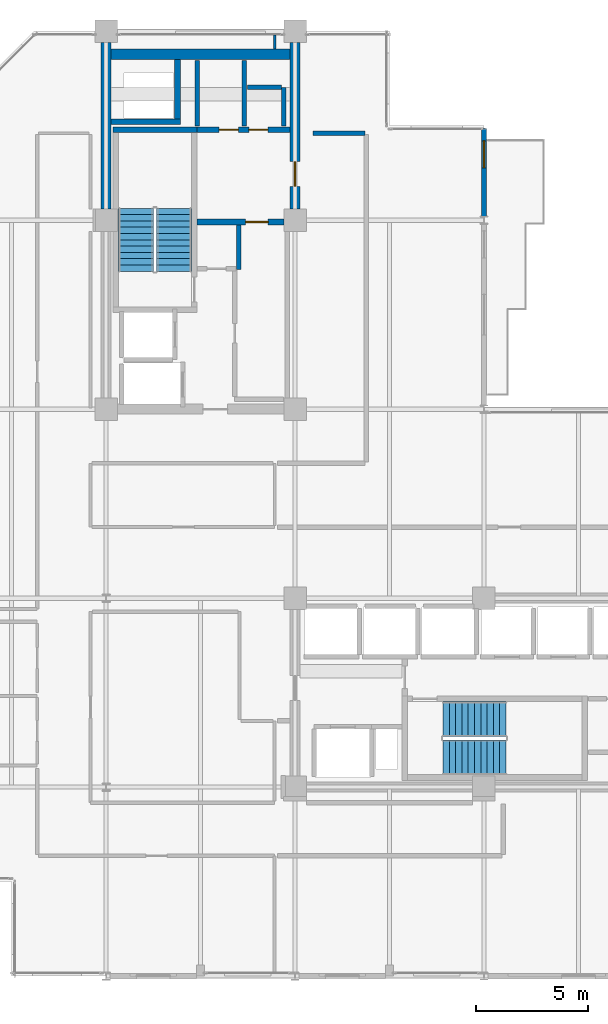
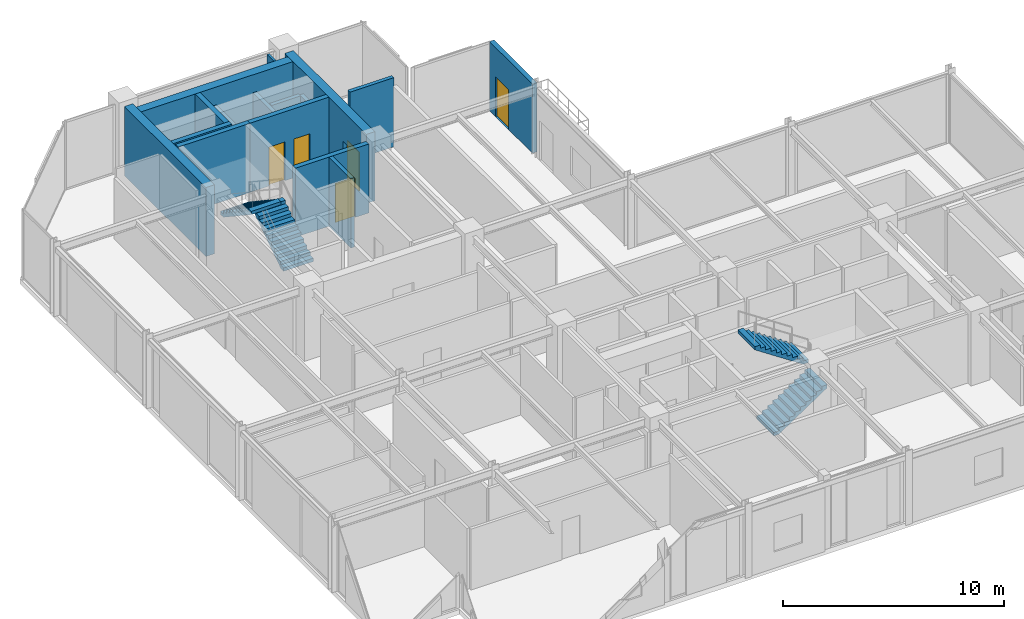
# One storey, part 22 of 25: 16 walls, 5 doors, 4 stair flights, 5 openings, 2 elements without a shape of their own.
"""IFC4 building model written with IfcOpenShell, lengths in metres."""

from ifc_helpers import new_model, si_unit, direction, frame, frame_2d, origin, place, context, subcontext, project, spatial, polyline, rectangle, outline, extrude, material, layer, layer_set, type_object, element, fill, aggregate, save


model = new_model("IFC4")

# Units and contexts
model_context = context("Model", 3, precision=1e-05, world=origin(), true_north=direction((0.0, 1.0)))
body_context = subcontext(model_context, "Body", "Model", "MODEL_VIEW")
ifc_project = project(units=[si_unit("LENGTHUNIT", "METRE"), si_unit("AREAUNIT", "SQUARE_METRE"), si_unit("VOLUMEUNIT", "CUBIC_METRE"), si_unit("PLANEANGLEUNIT", "RADIAN"), si_unit("MASSUNIT", "GRAM", prefix="KILO")], contexts=[model_context])

# Site, building, storey
site_placement = place(None, origin())
site = spatial("IfcSite", under=ifc_project, at=site_placement, CompositionType="ELEMENT")
building_placement = place(site_placement, origin())
building = spatial("IfcBuilding", under=site, at=building_placement, Name="Nerrivon Quay Data Exchange", CompositionType="ELEMENT")
storey_placement = place(building_placement, frame((0.0, 0.0, 224.699951171875)))
storey = spatial("IfcBuildingStorey", under=building, at=storey_placement, Name="L53", CompositionType="ELEMENT", Elevation=224.699951171875)

# Wall, opening, door
ifc_material_1 = material(Name="Architectural terracotta precast concrete N50 (50 MPa)", Category="masonry")
ifc_layer_1 = layer(ifc_material_1, 0.239990234375)
ifc_layer_set_1 = layer_set([ifc_layer_1], Name="Architectural terracotta precast concrete N50 (50 MPa)")
wall_type_1 = type_object("IfcWallType", Name="EW-PREC-240", PredefinedType="STANDARD", material=ifc_layer_set_1)
wall_1_placement = place(storey_placement, frame((25.199951171875, 37.679931640625, 0.0), z_axis=(0.0, 0.0, 1.0), x_axis=(0.0, -1.0, 0.0)))
wall_1 = element("IfcWall", 1, at=wall_1_placement, inside=storey, type_object=wall_type_1, Name="L53 Terrace Host Wall 22", PredefinedType="STANDARD", context=body_context, shape_type="SweptSolid", body=[
    extrude(rectangle(XDim=3.905029296875, YDim=0.239990234375, at=frame_2d((1.95263671875, 0.0))), origin(), (0.0, 0.0, 1.0), 3.824951171875),
])
opening_1_placement = place(wall_1_placement, frame((0.550048828125, 0.0, 0.0)))
opening_1 = element("IfcOpeningElement", 2, at=opening_1_placement, cuts=wall_1, Name="Opening TD1", PredefinedType="OPENING", context=body_context, shape_type="SweptSolid", body=[
    extrude(rectangle(XDim=1.199951171875, YDim=2.199951171875, at=frame_2d((0.60009765625, 1.10009765625))), frame((0.0, 0.1298828125, 0.0), z_axis=(0.0, -1.0, 0.0), x_axis=(1.0, 0.0, 0.0)), (0.0, 0.0, 1.0), 0.260009765625),
])
ifc_material_2 = material(Name="Double-glazed low-E solar control glass", Category="glass")
door_type_1 = type_object("IfcDoorType", Name="DR-TERR-1200x2200", OperationType="NOTDEFINED", PredefinedType="DOOR", material=ifc_material_2)
door_1_placement = place(opening_1_placement, origin())
door_1 = element("IfcDoor", 3, at=door_1_placement, inside=storey, type_object=door_type_1, Name="L53 Outdoor Terrace Access Door 22", OperationType="SINGLE_SWING_LEFT", OverallHeight=2.199951171875, OverallWidth=1.199951171875, PredefinedType="DOOR", context=body_context, shape_type="SweptSolid", body=[
    extrude(rectangle(XDim=1.199951171875, YDim=2.199951171875, at=frame_2d((0.60009765625, 1.10009765625))), frame((0.0, 0.02490234375, 0.0), z_axis=(0.0, -1.0, 0.0), x_axis=(1.0, 0.0, 0.0)), (0.0, 0.0, 1.0), 0.050048828125),
])
fill(opening_1, door_1)

# Walls
ifc_material_3 = material(Name="Concrete N50 (50 MPa)", Category="concrete")
ifc_layer_2 = layer(ifc_material_3, 0.449951171875)
ifc_layer_set_2 = layer_set([ifc_layer_2], Name="Concrete N50 (50 MPa)")
wall_type_2 = type_object("IfcWallType", Name="WALL-CW-550", PredefinedType="SHEAR", material=ifc_layer_set_2)
wall_2_placement = place(storey_placement, frame((8.39990234375, 34.10009765625, 0.0), z_axis=(0.0, 0.0, 1.0), x_axis=(0.0, 1.0, 0.0)))
element("IfcWall", 4, at=wall_2_placement, inside=storey, type_object=wall_type_2, Name="L53 West Split-Core Shear Wall WCW-W2", PredefinedType="SHEAR", context=body_context, shape_type="SweptSolid", body=[
    extrude(rectangle(XDim=7.39990234375, YDim=0.449951171875, at=frame_2d((3.699951171875, 0.0))), origin(), (0.0, 0.0, 1.0), 3.824951171875),
])
wall_3_placement = place(storey_placement, frame((8.625, 40.97509765625, 0.0), z_axis=(0.0, 0.0, 1.0), x_axis=(1.0, 0.0, 0.0)))
element("IfcWall", 5, at=wall_3_placement, inside=storey, type_object=wall_type_2, Name="L53 West Split-Core Shear Wall WCW-N1", PredefinedType="SHEAR", context=body_context, shape_type="SweptSolid", body=[
    extrude(rectangle(XDim=7.949951171875, YDim=0.449951171875, at=frame_2d((3.97509765625, 0.0))), origin(), (0.0, 0.0, 1.0), 3.824951171875),
])

# Wall, opening, door
wall_4_placement = place(storey_placement, frame((16.800048828125, 34.10009765625, 0.0), z_axis=(0.0, 0.0, 1.0), x_axis=(0.0, 1.0, 0.0)))
wall_4 = element("IfcWall", 6, at=wall_4_placement, inside=storey, type_object=wall_type_2, Name="L53 West Split-Core Shear Wall WCW-E1", PredefinedType="SHEAR", context=body_context, shape_type="SweptSolid", body=[
    extrude(rectangle(XDim=7.39990234375, YDim=0.449951171875, at=frame_2d((3.699951171875, 0.0))), origin(), (0.0, 0.0, 1.0), 3.824951171875),
])
opening_2_placement = place(wall_4_placement, frame((1.0, 0.0, 0.0)))
opening_2 = element("IfcOpeningElement", 7, at=opening_2_placement, cuts=wall_4, Name="Opening FD-120", PredefinedType="OPENING", context=body_context, shape_type="SweptSolid", body=[
    extrude(rectangle(XDim=1.10009765625, YDim=2.14990234375, at=frame_2d((0.550048828125, 1.074951171875))), frame((0.0, 0.23486328125, 0.0), z_axis=(0.0, -1.0, 0.0), x_axis=(1.0, 0.0, 0.0)), (0.0, 0.0, 1.0), 0.469970703125),
])
ifc_material_4 = material(Name="Powder-coated galvanized steel sheet", Category="steel")
door_type_2 = type_object("IfcDoorType", Name="DR-FD120-1100", OperationType="NOTDEFINED", PredefinedType="DOOR", material=ifc_material_4)
door_2_placement = place(opening_2_placement, origin())
door_2 = element("IfcDoor", 8, at=door_2_placement, inside=storey, type_object=door_type_2, Name="L53 West Core Lobby Fire Door", OperationType="SINGLE_SWING_LEFT", OverallHeight=2.14990234375, OverallWidth=1.10009765625, PredefinedType="DOOR", context=body_context, shape_type="SweptSolid", body=[
    extrude(rectangle(XDim=1.10009765625, YDim=2.14990234375, at=frame_2d((0.550048828125, 1.074951171875))), frame((0.0, 0.02490234375, 0.0), z_axis=(0.0, -1.0, 0.0), x_axis=(1.0, 0.0, 0.0)), (0.0, 0.0, 1.0), 0.050048828125),
])
fill(opening_2, door_2)

# Walls
ifc_material_5 = material(Name="Gypsum plasterboard on cold-formed framing", Category="gypsum")
ifc_layer_3 = layer(ifc_material_5, 0.199951171875)
ifc_layer_set_3 = layer_set([ifc_layer_3], Name="Gypsum plasterboard on cold-formed framing")
wall_type_3 = type_object("IfcWallType", Name="WALL-FW-200", PredefinedType="PARTITIONING", material=ifc_layer_set_3)
wall_5_placement = place(storey_placement, frame((14.300048828125, 33.39111328125, 0.0), z_axis=(0.0, 0.0, 1.0), x_axis=(0.0, -1.0, 0.0)))
element("IfcWall", 9, at=wall_5_placement, inside=storey, type_object=wall_type_3, Name="L53 Partition Core Equipment Store", PredefinedType="PARTITIONING", context=body_context, shape_type="SweptSolid", body=[
    extrude(rectangle(XDim=1.9912109375, YDim=0.199951171875, at=frame_2d((0.99560546875, 0.0))), origin(), (0.0, 0.0, 1.0), 3.824951171875),
])
for number, where, z_axis, x_axis, name in (
    (10, (14.550048828125, 37.780029296875, 0.0), (0.0, 0.0, 1.0), (0.0, 1.0, 0.0), "L53 Partition Electrical Switchboard Closet"),
    (11, (12.449951171875, 40.699951171875, 0.0), (0.0, 0.0, 1.0), (0.0, -1.0, 0.0), "L53 Partition Electrical Switchboard Closet"),
):
    element("IfcWall", number, at=place(storey_placement, frame(where, z_axis=z_axis, x_axis=x_axis)), inside=storey, type_object=wall_type_3, Name=name, PredefinedType="PARTITIONING", context=body_context, shape_type="SweptSolid", body=[
        extrude(rectangle(XDim=2.919921875, YDim=0.199951171875, at=frame_2d((1.4599609375, 0.0))), origin(), (0.0, 0.0, 1.0), 2.875),
    ])
wall_6_placement = place(storey_placement, frame((16.300048828125, 37.780029296875, 0.0), z_axis=(0.0, 0.0, 1.0), x_axis=(0.0, 1.0, 0.0)))
element("IfcWall", 12, at=wall_6_placement, inside=storey, type_object=wall_type_3, Name="L53 Partition Janitor Closet", PredefinedType="PARTITIONING", context=body_context, shape_type="SweptSolid", body=[
    extrude(rectangle(XDim=1.719970703125, YDim=0.199951171875, at=frame_2d((0.85986328125, 0.0))), origin(), (0.0, 0.0, 1.0), 2.875),
])
wall_7_placement = place(storey_placement, frame((16.196044921875, 39.5, 0.0), z_axis=(0.0, 0.0, 1.0), x_axis=(-1.0, 0.0, 0.0)))
element("IfcWall", 13, at=wall_7_placement, inside=storey, type_object=wall_type_3, Name="L53 Partition Janitor Closet", PredefinedType="PARTITIONING", context=body_context, shape_type="SweptSolid", body=[
    extrude(rectangle(XDim=1.506103515625, YDim=0.199951171875, at=frame_2d((0.7529296875, 0.0))), origin(), (0.0, 0.0, 1.0), 2.875),
])
wall_8_placement = place(storey_placement, frame((17.60009765625, 37.4599609375, 0.0), z_axis=(0.0, 0.0, 1.0), x_axis=(1.0, 0.0, 0.0)))
element("IfcWall", 14, at=wall_8_placement, inside=storey, type_object=wall_type_3, Name="L53 Partition Colocation Data Workspace 6", PredefinedType="PARTITIONING", context=body_context, shape_type="SweptSolid", body=[
    extrude(rectangle(XDim=2.2998046875, YDim=0.199951171875, at=frame_2d((1.14990234375, 0.0))), origin(), (0.0, 0.0, 1.0), 3.824951171875),
])
ifc_layer_4 = layer(ifc_material_5, 0.1201171875)
ifc_layer_set_4 = layer_set([ifc_layer_4], Name="Gypsum plasterboard on cold-formed framing")
wall_type_4 = type_object("IfcWallType", Name="WALL-PT-120", PredefinedType="PARTITIONING", material=ifc_layer_set_4)
wall_9_placement = place(storey_placement, frame((15.89453125, 41.2041015625, 0.0), z_axis=(0.0, 0.0, 1.0), x_axis=(0.0, 1.0, 0.0)))
element("IfcWall", 15, at=wall_9_placement, inside=storey, type_object=wall_type_4, Name="L53 Partition Technical Library", PredefinedType="PARTITIONING", context=body_context, shape_type="SweptSolid", body=[
    extrude(rectangle(XDim=0.626953125, YDim=0.1201171875, at=frame_2d((0.3134765625, 0.0))), origin(), (0.0, 0.0, 1.0), 3.824951171875),
])
ifc_layer_5 = layer(ifc_material_3, 0.25)
ifc_layer_set_5 = layer_set([ifc_layer_5], Name="Concrete N50 (50 MPa)")
wall_type_5 = type_object("IfcWallType", Name="WALL-SW-250", PredefinedType="SHEAR", material=ifc_layer_set_5)
wall_10_placement = place(storey_placement, frame((12.449951171875, 37.625, 0.0), z_axis=(0.0, 0.0, 1.0), x_axis=(-1.0, 0.0, 0.0)))
element("IfcWall", 16, at=wall_10_placement, inside=storey, type_object=wall_type_5, Name="L53 ST01 Structural Stair Core Wall FAR", PredefinedType="SHEAR", context=body_context, shape_type="SweptSolid", body=[
    extrude(rectangle(XDim=3.75, YDim=0.25, at=frame_2d((1.875, 0.0))), origin(), (0.0, 0.0, 1.0), 3.824951171875),
])
wall_11_placement = place(storey_placement, frame((8.625, 37.97509765625, 0.0), z_axis=(0.0, 0.0, 1.0), x_axis=(1.0, 0.0, 0.0)))
element("IfcWall", 17, at=wall_11_placement, inside=storey, type_object=wall_type_5, Name="L53 West Core MEP Riser Shaft Wall S", PredefinedType="SHEAR", context=body_context, shape_type="SweptSolid", body=[
    extrude(rectangle(XDim=3.074951171875, YDim=0.25, at=frame_2d((1.53759765625, 0.0))), origin(), (0.0, 0.0, 1.0), 3.824951171875),
])
wall_12_placement = place(storey_placement, frame((11.574951171875, 38.10009765625, 0.0), z_axis=(0.0, 0.0, 1.0), x_axis=(0.0, 1.0, 0.0)))
element("IfcWall", 18, at=wall_12_placement, inside=storey, type_object=wall_type_5, Name="L53 West Core MEP Riser Shaft Wall E", PredefinedType="SHEAR", context=body_context, shape_type="SweptSolid", body=[
    extrude(rectangle(XDim=2.64990234375, YDim=0.25, at=frame_2d((1.324951171875, 0.0))), origin(), (0.0, 0.0, 1.0), 3.824951171875),
])

# Wall, opening, door
wall_13_placement = place(storey_placement, frame((12.449951171875, 33.52001953125, 0.0), z_axis=(0.0, 0.0, 1.0), x_axis=(1.0, 0.0, 0.0)))
wall_13 = element("IfcWall", 19, at=wall_13_placement, inside=storey, type_object=wall_type_5, Name="L53 West Lobby Smoke-Stop Wall", PredefinedType="SHEAR", context=body_context, shape_type="SweptSolid", body=[
    extrude(rectangle(XDim=3.85009765625, YDim=0.25, at=frame_2d((1.925048828125, 0.0))), origin(), (0.0, 0.0, 1.0), 3.824951171875),
])
opening_3_placement = place(wall_13_placement, frame((2.14990234375, 0.0, 0.0)))
opening_3 = element("IfcOpeningElement", 20, at=opening_3_placement, cuts=wall_13, Name="Opening FD-60", PredefinedType="OPENING", context=body_context, shape_type="SweptSolid", body=[
    extrude(rectangle(XDim=1.0, YDim=2.14990234375, at=frame_2d((0.5, 1.074951171875))), frame((0.0, 0.135009765625, 0.0), z_axis=(0.0, -1.0, 0.0), x_axis=(1.0, 0.0, 0.0)), (0.0, 0.0, 1.0), 0.27001953125),
])
ifc_material_6 = material(Name="Engineered hardwood timber", Category="wood")
door_type_3 = type_object("IfcDoorType", Name="DR-FD60-1000", OperationType="NOTDEFINED", PredefinedType="DOOR", material=ifc_material_6)
door_3_placement = place(opening_3_placement, origin())
door_3 = element("IfcDoor", 21, at=door_3_placement, inside=storey, type_object=door_type_3, Name="L53 West Firefighting Lobby Fire Door", OperationType="SINGLE_SWING_LEFT", OverallHeight=2.14990234375, OverallWidth=1.0, PredefinedType="DOOR", context=body_context, shape_type="SweptSolid", body=[
    extrude(rectangle(XDim=1.0, YDim=2.14990234375, at=frame_2d((0.5, 1.074951171875))), frame((0.0, 0.02490234375, 0.0), z_axis=(0.0, -1.0, 0.0), x_axis=(1.0, 0.0, 0.0)), (0.0, 0.0, 1.0), 0.050048828125),
])
fill(opening_3, door_3)

# Wall, openings, doors
wall_14_placement = place(storey_placement, frame((12.449951171875, 37.625, 0.0), z_axis=(0.0, 0.0, 1.0), x_axis=(1.0, 0.0, 0.0)))
wall_14 = element("IfcWall", 22, at=wall_14_placement, inside=storey, type_object=wall_type_5, Name="L53 West Firefighting Lobby Wall", PredefinedType="SHEAR", context=body_context, shape_type="SweptSolid", body=[
    extrude(rectangle(XDim=4.125, YDim=0.25, at=frame_2d((2.0625, 0.0))), origin(), (0.0, 0.0, 1.0), 3.824951171875),
])
opening_4_placement = place(wall_14_placement, frame((0.9775390625, 0.0, 0.0)))
opening_4 = element("IfcOpeningElement", 23, at=opening_4_placement, cuts=wall_14, Name="Opening FD-60S", PredefinedType="OPENING", context=body_context, shape_type="SweptSolid", body=[
    extrude(rectangle(XDim=0.85009765625, YDim=2.14990234375, at=frame_2d((0.425048828125, 1.074951171875))), frame((0.0, 0.135009765625, 0.0), z_axis=(0.0, -1.0, 0.0), x_axis=(1.0, 0.0, 0.0)), (0.0, 0.0, 1.0), 0.27001953125),
])
opening_5_placement = place(wall_14_placement, frame((2.297607421875, 0.0, 0.0)))
opening_5 = element("IfcOpeningElement", 24, at=opening_5_placement, cuts=wall_14, Name="Opening FD-60S", PredefinedType="OPENING", context=body_context, shape_type="SweptSolid", body=[
    extrude(rectangle(XDim=0.85009765625, YDim=2.14990234375, at=frame_2d((0.425048828125, 1.074951171875))), frame((0.0, 0.135009765625, 0.0), z_axis=(0.0, -1.0, 0.0), x_axis=(1.0, 0.0, 0.0)), (0.0, 0.0, 1.0), 0.27001953125),
])
door_type_4 = type_object("IfcDoorType", Name="DR-FD60-850", OperationType="NOTDEFINED", PredefinedType="DOOR", material=ifc_material_6)
door_4_placement = place(opening_4_placement, origin())
door_4 = element("IfcDoor", 25, at=door_4_placement, inside=storey, type_object=door_type_4, Name="L53 Door Electrical Switchboard Closet", OperationType="SINGLE_SWING_LEFT", OverallHeight=2.14990234375, OverallWidth=0.85009765625, PredefinedType="DOOR", context=body_context, shape_type="SweptSolid", body=[
    extrude(rectangle(XDim=0.85009765625, YDim=2.14990234375, at=frame_2d((0.425048828125, 1.074951171875))), frame((0.0, 0.02490234375, 0.0), z_axis=(0.0, -1.0, 0.0), x_axis=(1.0, 0.0, 0.0)), (0.0, 0.0, 1.0), 0.050048828125),
])
fill(opening_4, door_4)
door_5_placement = place(opening_5_placement, origin())
door_5 = element("IfcDoor", 26, at=door_5_placement, inside=storey, type_object=door_type_4, Name="L53 Door Janitor Closet", OperationType="SINGLE_SWING_RIGHT", OverallHeight=2.14990234375, OverallWidth=0.85009765625, PredefinedType="DOOR", context=body_context, shape_type="SweptSolid", body=[
    extrude(rectangle(XDim=0.85009765625, YDim=2.14990234375, at=frame_2d((0.425048828125, 1.074951171875))), frame((0.0, 0.02490234375, 0.0), z_axis=(0.0, -1.0, 0.0), x_axis=(1.0, 0.0, 0.0)), (0.0, 0.0, 1.0), 0.050048828125),
])
fill(opening_5, door_5)

# Stair, stair flights
stair_type = type_object("IfcStairType", Name="STAIR-DOG-41", PredefinedType="HALF_TURN_STAIR", material=ifc_material_3)
stair_1_placement = place(storey_placement, origin())
stair_1 = element("IfcStair", 27, at=stair_1_placement, inside=storey, type_object=stair_type, Name="L53 West Core Fire Stair ST01", PredefinedType="HALF_TURN_STAIR")
stair_flight_type = type_object("IfcStairFlightType", Name="FLIGHT-DOG-41", PredefinedType="STRAIGHT", material=ifc_material_3)
stair_flight_1_placement = place(storey_placement, frame((11.425048828125, 31.330078125, 0.0), z_axis=(0.0, 0.0, 1.0), x_axis=(0.0, 1.0, 0.0)))
stair_flight_1 = element("IfcStairFlight", 28, at=stair_flight_1_placement, type_object=stair_flight_type, Name="ST01 flight 1", NumberOfRisers=11, NumberOfTreads=10, PredefinedType="STRAIGHT", RiserHeight=0.186363636, TreadLength=0.28, context=body_context, shape_type="SweptSolid", body=[
    extrude(outline(polyline([(0.0, 0.0), (0.0, 0.186279296875), (0.280029296875, 0.186279296875), (0.280029296875, 0.372802734375), (0.56005859375, 0.372802734375), (0.56005859375, 0.55908203125), (0.840087890625, 0.55908203125), (0.840087890625, 0.745361328125), (1.1201171875, 0.745361328125), (1.1201171875, 0.931884765625), (1.39990234375, 0.931884765625), (1.39990234375, 1.1181640625), (1.679931640625, 1.1181640625), (1.679931640625, 1.304443359375), (1.9599609375, 1.304443359375), (1.9599609375, 1.490966796875), (2.239990234375, 1.490966796875), (2.239990234375, 1.67724609375), (2.52001953125, 1.67724609375), (2.52001953125, 1.863525390625), (2.800048828125, 1.863525390625), (2.800048828125, 2.050048828125), (2.800048828125, 1.68359375), (0.2705078125, 0.0), (0.0, 0.0)])), frame((0.0, 0.77490234375, 0.0), z_axis=(0.0, -1.0, 0.0), x_axis=(1.0, 0.0, 0.0)), (0.0, 0.0, 1.0), 1.550048828125),
])
stair_flight_2_placement = place(storey_placement, frame((9.72509765625, 34.1298828125, 2.050048828125), z_axis=(0.0, 0.0, 1.0), x_axis=(0.0, -1.0, 0.0)))
stair_flight_2 = element("IfcStairFlight", 29, at=stair_flight_2_placement, type_object=stair_flight_type, Name="ST01 flight 2", NumberOfRisers=11, NumberOfTreads=10, PredefinedType="STRAIGHT", RiserHeight=0.186363636, TreadLength=0.28, context=body_context, shape_type="SweptSolid", body=[
    extrude(outline(polyline([(0.0, 0.0), (0.0, 0.186279296875), (0.280029296875, 0.186279296875), (0.280029296875, 0.372802734375), (0.56005859375, 0.372802734375), (0.56005859375, 0.55908203125), (0.840087890625, 0.55908203125), (0.840087890625, 0.745361328125), (1.1201171875, 0.745361328125), (1.1201171875, 0.931884765625), (1.39990234375, 0.931884765625), (1.39990234375, 1.1181640625), (1.679931640625, 1.1181640625), (1.679931640625, 1.304443359375), (1.9599609375, 1.304443359375), (1.9599609375, 1.490966796875), (2.239990234375, 1.490966796875), (2.239990234375, 1.67724609375), (2.52001953125, 1.67724609375), (2.52001953125, 1.863525390625), (2.800048828125, 1.863525390625), (2.800048828125, 2.050048828125), (2.800048828125, 1.68359375), (0.2705078125, 0.0), (0.0, 0.0)])), frame((0.0, 0.77490234375, 0.0), z_axis=(0.0, -1.0, 0.0), x_axis=(1.0, 0.0, 0.0)), (0.0, 0.0, 1.0), 1.550048828125),
])
aggregate(stair_1, [stair_flight_1, stair_flight_2])

stair_2_placement = place(storey_placement, origin())
stair_2 = element("IfcStair", 30, at=stair_2_placement, inside=storey, type_object=stair_type, Name="L53 East Core Fire Stair ST02", PredefinedType="HALF_TURN_STAIR")
stair_flight_3_placement = place(storey_placement, frame((23.3798828125, 9.72509765625, 0.0), z_axis=(0.0, 0.0, 1.0), x_axis=(1.0, 0.0, 0.0)))
stair_flight_3 = element("IfcStairFlight", 31, at=stair_flight_3_placement, type_object=stair_flight_type, Name="ST02 flight 1", NumberOfRisers=11, NumberOfTreads=10, PredefinedType="STRAIGHT", RiserHeight=0.186363636, TreadLength=0.28, context=body_context, shape_type="SweptSolid", body=[
    extrude(outline(polyline([(0.0, 0.0), (0.0, 0.186279296875), (0.280029296875, 0.186279296875), (0.280029296875, 0.372802734375), (0.56005859375, 0.372802734375), (0.56005859375, 0.55908203125), (0.840087890625, 0.55908203125), (0.840087890625, 0.745361328125), (1.1201171875, 0.745361328125), (1.1201171875, 0.931884765625), (1.39990234375, 0.931884765625), (1.39990234375, 1.1181640625), (1.679931640625, 1.1181640625), (1.679931640625, 1.304443359375), (1.9599609375, 1.304443359375), (1.9599609375, 1.490966796875), (2.239990234375, 1.490966796875), (2.239990234375, 1.67724609375), (2.52001953125, 1.67724609375), (2.52001953125, 1.863525390625), (2.800048828125, 1.863525390625), (2.800048828125, 2.050048828125), (2.800048828125, 1.68359375), (0.2705078125, 0.0), (0.0, 0.0)])), frame((0.0, 0.77490234375, 0.0), z_axis=(0.0, -1.0, 0.0), x_axis=(1.0, 0.0, 0.0)), (0.0, 0.0, 1.0), 1.550048828125),
])
stair_flight_4_placement = place(storey_placement, frame((26.179931640625, 11.425048828125, 2.050048828125), z_axis=(0.0, 0.0, 1.0), x_axis=(-1.0, 0.0, 0.0)))
stair_flight_4 = element("IfcStairFlight", 32, at=stair_flight_4_placement, type_object=stair_flight_type, Name="ST02 flight 2", NumberOfRisers=11, NumberOfTreads=10, PredefinedType="STRAIGHT", RiserHeight=0.186363636, TreadLength=0.28, context=body_context, shape_type="SweptSolid", body=[
    extrude(outline(polyline([(0.0, 0.0), (0.0, 0.186279296875), (0.280029296875, 0.186279296875), (0.280029296875, 0.372802734375), (0.56005859375, 0.372802734375), (0.56005859375, 0.55908203125), (0.840087890625, 0.55908203125), (0.840087890625, 0.745361328125), (1.1201171875, 0.745361328125), (1.1201171875, 0.931884765625), (1.39990234375, 0.931884765625), (1.39990234375, 1.1181640625), (1.679931640625, 1.1181640625), (1.679931640625, 1.304443359375), (1.9599609375, 1.304443359375), (1.9599609375, 1.490966796875), (2.239990234375, 1.490966796875), (2.239990234375, 1.67724609375), (2.52001953125, 1.67724609375), (2.52001953125, 1.863525390625), (2.800048828125, 1.863525390625), (2.800048828125, 2.050048828125), (2.800048828125, 1.68359375), (0.2705078125, 0.0), (0.0, 0.0)])), frame((0.0, 0.77490234375, 0.0), z_axis=(0.0, -1.0, 0.0), x_axis=(1.0, 0.0, 0.0)), (0.0, 0.0, 1.0), 1.550048828125),
])
aggregate(stair_2, [stair_flight_3, stair_flight_4])

save(model, "model.ifc")
